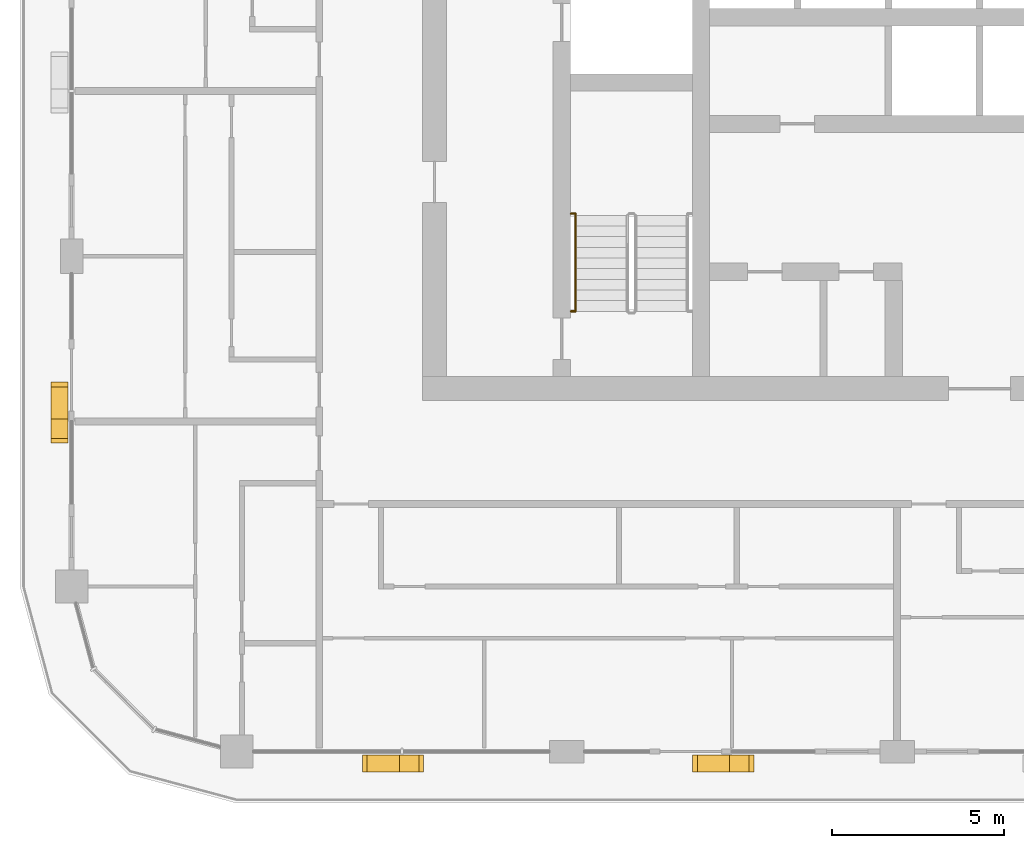
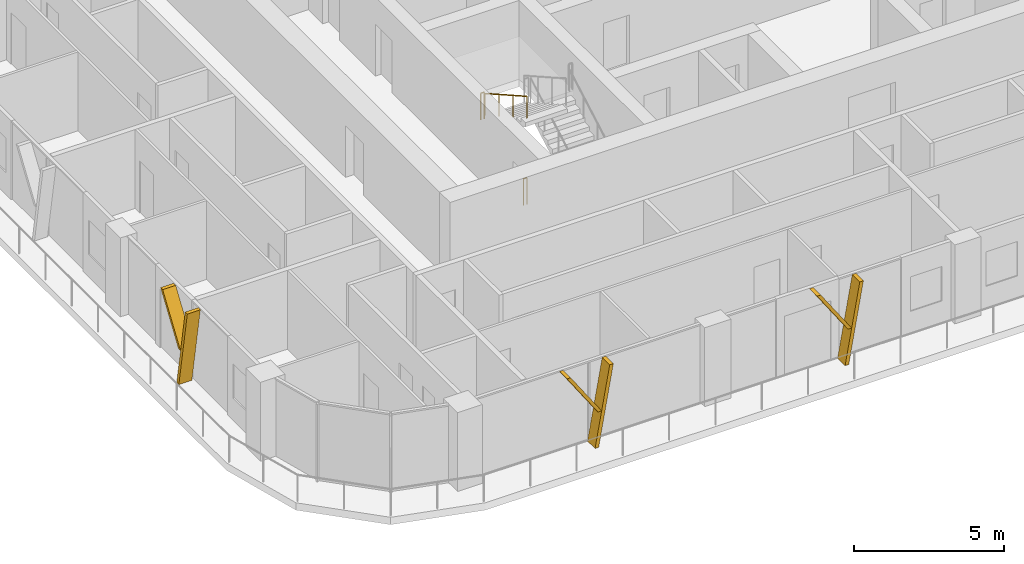
# One storey, part 17 of 23: 6 shading devices, 3 railings.
"""IFC4 building model written with IfcOpenShell, lengths in metres."""

from ifc_helpers import new_model, si_unit, direction, frame, origin, origin_2d, place, context, subcontext, project, spatial, polyline, circle, outline, extrude, material, type_object, element, save


model = new_model("IFC4")

# Units and contexts
model_context = context("Model", 3, precision=1e-05, world=origin(), true_north=direction((0.0, 1.0)))
body_context = subcontext(model_context, "Body", "Model", "MODEL_VIEW")
ifc_project = project(units=[si_unit("LENGTHUNIT", "METRE"), si_unit("AREAUNIT", "SQUARE_METRE"), si_unit("VOLUMEUNIT", "CUBIC_METRE"), si_unit("PLANEANGLEUNIT", "RADIAN"), si_unit("MASSUNIT", "GRAM", prefix="KILO")], contexts=[model_context])

# Site, building, storey
site_placement = place(None, origin())
site = spatial("IfcSite", under=ifc_project, at=site_placement, CompositionType="ELEMENT")
building_placement = place(site_placement, origin())
building = spatial("IfcBuilding", under=site, at=building_placement, Name="Madar Terraces", CompositionType="ELEMENT")
storey_placement = place(building_placement, frame((0.0, 0.0, 215.800048828125)))
storey = spatial("IfcBuildingStorey", under=building, at=storey_placement, Name="L56", CompositionType="ELEMENT", Elevation=215.800048828125)

# Shading devices
ifc_material_1 = material(Name="Aluminium, black anodised", Category="aluminium")
shading_device_type = type_object("IfcShadingDeviceType", Name="Facade fin blade 140 x 500", PredefinedType="USERDEFINED", material=ifc_material_1)
shading_device_1_placement = place(storey_placement, frame((14.330078125, 4.449951171875, 0.0), z_axis=(0.0, 0.0, 1.0), x_axis=(1.0, 0.0, 0.0)))
element("IfcShadingDevice", 1, at=shading_device_1_placement, inside=storey, type_object=shading_device_type, Name="FIN L56 S1", ObjectType="FIN", PredefinedType="USERDEFINED", context=body_context, shape_type="SweptSolid", body=[
    extrude(outline(polyline([(0.0, 0.0), (0.139892578125, 0.0), (0.704345703125, 3.199951171875), (0.564208984375, 3.199951171875), (0.0, 0.0)])), frame((0.0, 0.25, 0.0), z_axis=(0.0, -1.0, 0.0), x_axis=(1.0, 0.0, 0.0)), (0.0, 0.0, 1.0), 0.5),
])
shading_device_2_placement = place(storey_placement, frame((14.44384765625, 4.449951171875, 1.43994140625), z_axis=(0.0, 0.0, 1.0), x_axis=(1.0, 0.0, 0.0)))
element("IfcShadingDevice", 2, at=shading_device_2_placement, inside=storey, type_object=shading_device_type, Name="FIN L56 S1 branch", ObjectType="FIN", PredefinedType="USERDEFINED", context=body_context, shape_type="SweptSolid", body=[
    extrude(outline(polyline([(0.0, 0.0), (0.14013671875, 0.0), (-1.049560546875, 1.760009765625), (-1.189697265625, 1.760009765625), (0.0, 0.0)])), frame((0.0, 0.25, 0.0), z_axis=(0.0, -1.0, 0.0), x_axis=(1.0, 0.0, 0.0)), (0.0, 0.0, 1.0), 0.5),
])
shading_device_3_placement = place(storey_placement, frame((23.929931640625, 4.449951171875, 0.0), z_axis=(0.0, 0.0, 1.0), x_axis=(1.0, 0.0, 0.0)))
element("IfcShadingDevice", 3, at=shading_device_3_placement, inside=storey, type_object=shading_device_type, Name="FIN L56 S2", ObjectType="FIN", PredefinedType="USERDEFINED", context=body_context, shape_type="SweptSolid", body=[
    extrude(outline(polyline([(0.0, 0.0), (0.14013671875, 0.0), (0.704345703125, 3.199951171875), (0.564208984375, 3.199951171875), (0.0, 0.0)])), frame((0.0, 0.25, 0.0), z_axis=(0.0, -1.0, 0.0), x_axis=(1.0, 0.0, 0.0)), (0.0, 0.0, 1.0), 0.5),
])
shading_device_4_placement = place(storey_placement, frame((24.0439453125, 4.449951171875, 1.43994140625), z_axis=(0.0, 0.0, 1.0), x_axis=(1.0, 0.0, 0.0)))
element("IfcShadingDevice", 4, at=shading_device_4_placement, inside=storey, type_object=shading_device_type, Name="FIN L56 S2 branch", ObjectType="FIN", PredefinedType="USERDEFINED", context=body_context, shape_type="SweptSolid", body=[
    extrude(outline(polyline([(0.0, 0.0), (0.139892578125, 0.0), (-1.049560546875, 1.760009765625), (-1.189697265625, 1.760009765625), (0.0, 0.0)])), frame((0.0, 0.25, 0.0), z_axis=(0.0, -1.0, 0.0), x_axis=(1.0, 0.0, 0.0)), (0.0, 0.0, 1.0), 0.5),
])
shading_device_5_placement = place(storey_placement, frame((4.449951171875, 14.469970703125, 0.0), z_axis=(0.0, 0.0, 1.0), x_axis=(0.0, -1.0, 0.0)))
element("IfcShadingDevice", 5, at=shading_device_5_placement, inside=storey, type_object=shading_device_type, Name="FIN L56 W4", ObjectType="FIN", PredefinedType="USERDEFINED", context=body_context, shape_type="SweptSolid", body=[
    extrude(outline(polyline([(0.0, 0.0), (0.139892578125, 0.0), (0.704345703125, 3.199951171875), (0.564208984375, 3.199951171875), (0.0, 0.0)])), frame((0.0, 0.25, 0.0), z_axis=(0.0, -1.0, 0.0), x_axis=(1.0, 0.0, 0.0)), (0.0, 0.0, 1.0), 0.5),
])
shading_device_6_placement = place(storey_placement, frame((4.449951171875, 14.356201171875, 1.43994140625), z_axis=(0.0, 0.0, 1.0), x_axis=(0.0, -1.0, 0.0)))
element("IfcShadingDevice", 6, at=shading_device_6_placement, inside=storey, type_object=shading_device_type, Name="FIN L56 W4 branch", ObjectType="FIN", PredefinedType="USERDEFINED", context=body_context, shape_type="SweptSolid", body=[
    extrude(outline(polyline([(0.0, 0.0), (0.14013671875, 0.0), (-1.049560546875, 1.760009765625), (-1.189697265625, 1.760009765625), (0.0, 0.0)])), frame((0.0, 0.25, 0.0), z_axis=(0.0, -1.0, 0.0), x_axis=(1.0, 0.0, 0.0)), (0.0, 0.0, 1.0), 0.5),
])

# Railings
ifc_material_2 = material(Name="Stainless steel railing", Category="steel")
railing_type_1 = type_object("IfcRailingType", Name="Stair guard 1100", PredefinedType="GUARDRAIL", material=ifc_material_2)
for number, where, name in (
    (7, (19.320068359375, 20.43994140625, 1.75), "L56 stair guard seat 1"),
    (8, (19.320068359375, 17.60009765625, 0.0), "L56 stair guard floor 1"),
):
    element("IfcRailing", number, at=place(storey_placement, frame(where)), inside=storey, type_object=railing_type_1, Name=name, PredefinedType="GUARDRAIL", context=body_context, shape_type="SweptSolid", body=[
        extrude(circle(Radius=0.02392578125, at=origin_2d()), frame((0.0, 0.0, 1.076171875), z_axis=(1.0, 0.0, 0.0), x_axis=(0.0, 1.0, 0.0)), (0.0, 0.0, 1.0), 0.1298828125),
        extrude(circle(Radius=0.02099609375, at=origin_2d()), origin(), (0.0, 0.0, 1.0), 1.052001953125),
        extrude(circle(Radius=0.02099609375, at=origin_2d()), frame((0.1298828125, 0.0, 0.0)), (0.0, 0.0, 1.0), 1.052001953125),
    ])
ifc_material_3 = material(Name="Stainless steel railing", Category="steel")
railing_type_2 = type_object("IfcRailingType", Name="Stair handrail 900", PredefinedType="HANDRAIL", material=ifc_material_3)
railing_placement = place(storey_placement, frame((19.449951171875, 20.389892578125, 1.925048828125)))
element("IfcRailing", 9, at=railing_placement, inside=storey, type_object=railing_type_2, Name="L56 ST1 stair handrail 2", PredefinedType="HANDRAIL", context=body_context, shape_type="SweptSolid", body=[
    extrude(circle(Radius=0.02392578125, at=origin_2d()), frame((0.0, 0.0, 0.8759765625), z_axis=(0.0, -0.870815363784, 0.491610213684), x_axis=(1.0, 0.0, 0.0)), (0.0, 0.0, 1.0), 3.20361328125),
    extrude(circle(Radius=0.02099609375, at=origin_2d()), origin(), (0.0, 0.0, 1.0), 0.851806640625),
    extrude(circle(Radius=0.02099609375, at=origin_2d()), frame((0.0, -0.929931640625, 0.52490234375)), (0.0, 0.0, 1.0), 0.851806640625),
    extrude(circle(Radius=0.02099609375, at=origin_2d()), frame((0.0, -1.85986328125, 1.050048828125)), (0.0, 0.0, 1.0), 0.851806640625),
    extrude(circle(Radius=0.02099609375, at=origin_2d()), frame((0.0, -2.789794921875, 1.574951171875)), (0.0, 0.0, 1.0), 0.851806640625),
])

save(model, "model.ifc")
